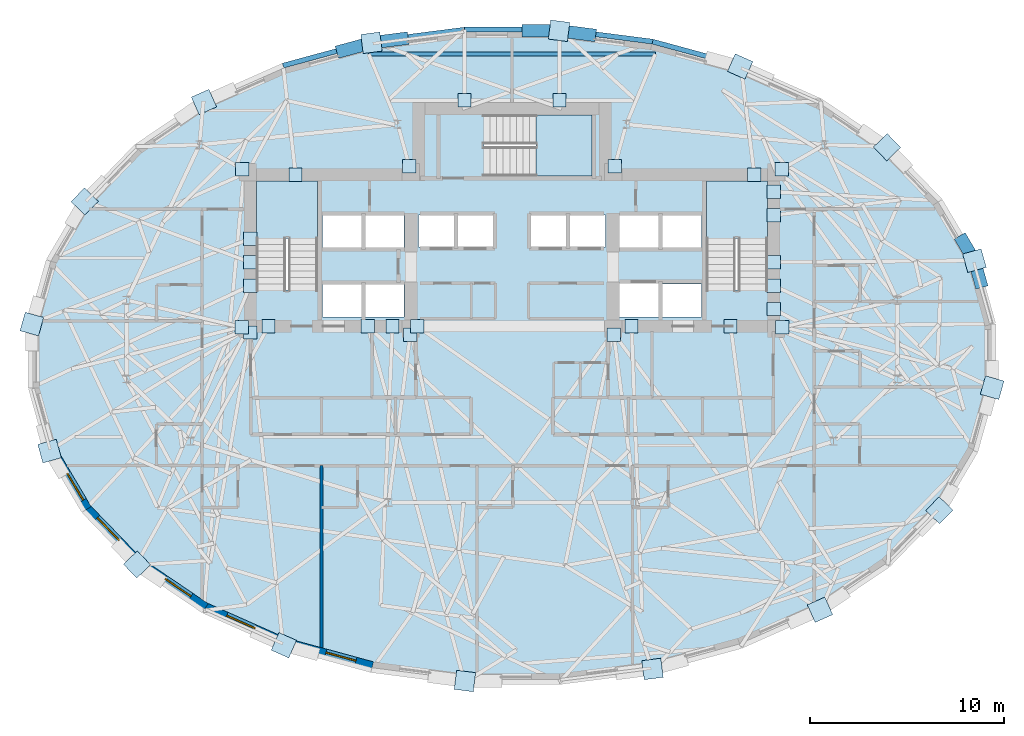
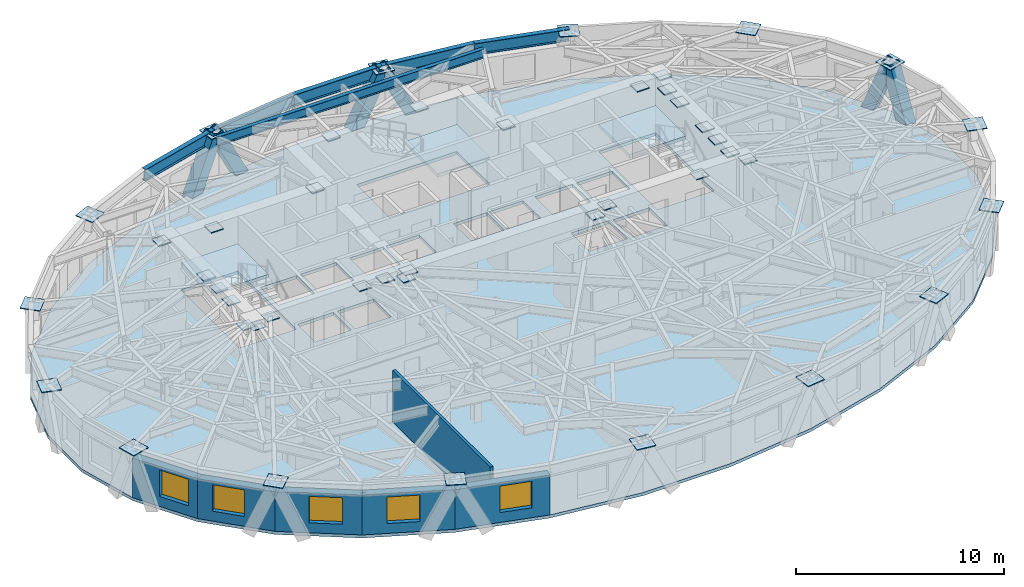
# One storey, part 5 of 15: 43 plates, 6 beams, 6 members, 6 walls, 5 windows, 4 slabs, 5 openings, 3 elements without a shape of their own.
"""IFC4 building model written with IfcOpenShell, lengths in metres."""

from ifc_helpers import new_model, si_unit, direction, frame, frame_2d, origin, origin_2d, place, context, subcontext, project, spatial, polyline, rectangle, hollow_rectangle, i_section, outline, extrude, material, layer, layer_set, material_profile, profile_set, type_object, element, fill, aggregate, save


model = new_model("IFC4")

# Units and contexts
model_context = context("Model", 3, precision=1e-05, world=origin(), true_north=direction((0.0, 1.0)))
body_context = subcontext(model_context, "Body", "Model", "MODEL_VIEW")
ifc_project = project(units=[si_unit("LENGTHUNIT", "METRE"), si_unit("AREAUNIT", "SQUARE_METRE"), si_unit("VOLUMEUNIT", "CUBIC_METRE"), si_unit("PLANEANGLEUNIT", "RADIAN"), si_unit("MASSUNIT", "GRAM", prefix="KILO")], contexts=[model_context])

# Site, building, storey
site_placement = place(None, origin())
site = spatial("IfcSite", under=ifc_project, at=site_placement, CompositionType="ELEMENT")
building_placement = place(site_placement, origin())
building = spatial("IfcBuilding", under=site, at=building_placement, Name="Keldmark Tower", CompositionType="ELEMENT")
storey_placement = place(building_placement, frame((0.0, 0.0, 163.0)))
storey = spatial("IfcBuildingStorey", under=building, at=storey_placement, Name="L44", CompositionType="ELEMENT", Elevation=163.0)

# Members
ifc_material_1 = material(Name="Steel ASTM A572 Grade 50", Category="steel")
ifc_material_profile_1 = material_profile(ifc_material_1, hollow_rectangle(XDim=0.64990234375, YDim=0.64990234375, WallThickness=0.0400390625, at=origin_2d()), Name="BOX650X650X40")
ifc_profile_set_1 = profile_set([ifc_material_profile_1], Name="Steel ASTM A572 Grade 50")
member_type = type_object("IfcMemberType", Name="Diagrid Zone 3 Brace BOX650X650X40", PredefinedType="BRACE", material=ifc_profile_set_1)
member_1_placement = place(storey_placement, frame((24.10009765625, 3.815673828125, -0.260009765625), z_axis=(-0.090321139282, 0.323220128566, 0.94200363072), x_axis=(-0.963103534488, -0.269131161067, 0.0)))
element("IfcMember", 1, at=member_1_placement, inside=storey, type_object=member_type, Name="L44 Perimeter Diagrid Brace 01A", PredefinedType="BRACE", context=body_context, shape_type="SweptSolid", body=[
    extrude(hollow_rectangle(XDim=0.64990234375, YDim=0.64990234375, WallThickness=0.0400390625, at=origin_2d()), origin(), (0.0, 0.0, 1.0), 3.3544921875),
])
member_2_placement = place(storey_placement, frame((23.19287109375, 5.91455078125, -0.260009765625), z_axis=(0.179634339939, -0.303896484951, 0.935616604357), x_axis=(0.860853140724, 0.508853485894, 0.0)))
element("IfcMember", 2, at=member_2_placement, inside=storey, type_object=member_type, Name="L44 Perimeter Diagrid Brace 01B", PredefinedType="BRACE", context=body_context, shape_type="SweptSolid", body=[
    extrude(hollow_rectangle(XDim=0.64990234375, YDim=0.64990234375, WallThickness=0.0400390625, at=origin_2d()), origin(), (0.0, 0.0, 1.0), 3.37744140625),
])
member_3_placement = place(storey_placement, frame((4.02099609375, 16.525390625, -0.260009765625), z_axis=(-0.450780651387, 0.057878859209, 0.890756331435), x_axis=(-0.127351493636, -0.991857649599, 0.0)))
element("IfcMember", 3, at=member_3_placement, inside=storey, type_object=member_type, Name="L44 Perimeter Diagrid Brace 04A", PredefinedType="BRACE", context=body_context, shape_type="SweptSolid", body=[
    extrude(hollow_rectangle(XDim=0.64990234375, YDim=0.64990234375, WallThickness=0.0400390625, at=origin_2d()), origin(), (0.0, 0.0, 1.0), 3.54736328125),
])
member_4_placement = place(storey_placement, frame((0.80712890625, 16.728515625, -0.260009765625), z_axis=(0.457597906554, 0.0, 0.889159241035), x_axis=(0.0, 1.0, 0.0)))
element("IfcMember", 4, at=member_4_placement, inside=storey, type_object=member_type, Name="L44 Perimeter Diagrid Brace 04B", PredefinedType="BRACE", context=body_context, shape_type="SweptSolid", body=[
    extrude(hollow_rectangle(XDim=0.64990234375, YDim=0.64990234375, WallThickness=0.0400390625, at=origin_2d()), origin(), (0.0, 0.0, 1.0), 3.5537109375),
])
member_5_placement = place(storey_placement, frame((-5.6318359375, 16.3173828125, -0.260009765625), z_axis=(-0.450780651387, -0.057878859209, 0.890756331435), x_axis=(0.127351493636, -0.991857649599, 0.0)))
element("IfcMember", 5, at=member_5_placement, inside=storey, type_object=member_type, Name="L44 Perimeter Diagrid Brace 05A", PredefinedType="BRACE", context=body_context, shape_type="SweptSolid", body=[
    extrude(hollow_rectangle(XDim=0.64990234375, YDim=0.64990234375, WallThickness=0.0400390625, at=origin_2d()), origin(), (0.0, 0.0, 1.0), 3.54736328125),
])
member_6_placement = place(storey_placement, frame((-8.7333984375, 15.703125, -0.260009765625), z_axis=(0.429124287044, 0.116606099608, 0.895687090341), x_axis=(-0.262221871512, 0.965007611421, 0.0)))
element("IfcMember", 6, at=member_6_placement, inside=storey, type_object=member_type, Name="L44 Perimeter Diagrid Brace 05B", PredefinedType="BRACE", context=body_context, shape_type="SweptSolid", body=[
    extrude(hollow_rectangle(XDim=0.64990234375, YDim=0.64990234375, WallThickness=0.0400390625, at=origin_2d()), origin(), (0.0, 0.0, 1.0), 3.52783203125),
])

# Beams
ifc_material_2 = material(Name="Steel ASTM A992 Grade 50", Category="steel")
ifc_material_profile_2 = material_profile(ifc_material_2, i_section(OverallWidth=0.2099609375, OverallDepth=0.537109375, WebThickness=0.010986328125, FlangeThickness=0.017333984375, at=origin_2d()), Name="W21X68")
ifc_profile_set_2 = profile_set([ifc_material_profile_2], Name="Steel ASTM A992 Grade 50")
beam_type_1 = type_object("IfcBeamType", Name="Radial Tie Girder W21X68", PredefinedType="BEAM", material=ifc_profile_set_2)
beam_1_placement = place(storey_placement, frame((-7.376953125, 15.538330078125, 2.75146484375), z_axis=(1.0, 0.0, 0.0), x_axis=(0.0, 1.0, 0.0)))
element("IfcBeam", 7, at=beam_1_placement, inside=storey, type_object=beam_type_1, Name="L44 North Outer Header Girder FG-TCN-H1", PredefinedType="BEAM", context=body_context, shape_type="SweptSolid", body=[
    extrude(i_section(OverallWidth=0.2099609375, OverallDepth=0.537109375, WebThickness=0.010986328125, FlangeThickness=0.017333984375, at=origin_2d()), origin(), (0.0, 0.0, 1.0), 14.75390625),
])
ifc_material_3 = material(Name="Steel ASTM A992 Grade 50", Category="steel")
ifc_material_profile_3 = material_profile(ifc_material_3, i_section(OverallWidth=0.256103515625, OverallDepth=0.693115234375, WebThickness=0.014404296875, FlangeThickness=0.023681640625, at=origin_2d()), Name="W27X114")
ifc_profile_set_3 = profile_set([ifc_material_profile_3], Name="Steel ASTM A992 Grade 50")
beam_type_2 = type_object("IfcBeamType", Name="Spandrel Ring Beam W27X114", PredefinedType="SPANDREL", material=ifc_profile_set_3)
beam_2_placement = place(storey_placement, frame((11.77880859375, 14.93798828125, 2.673583984375), z_axis=(-0.965024302167, 0.26216043986, 0.0), x_axis=(-0.26216043986, -0.965024302167, 0.0)))
element("IfcBeam", 8, at=beam_2_placement, inside=storey, type_object=beam_type_2, Name="L44 Perimeter Spandrel Ring Beam SRB-06", PredefinedType="SPANDREL", context=body_context, shape_type="SweptSolid", body=[
    extrude(i_section(OverallWidth=0.256103515625, OverallDepth=0.693115234375, WebThickness=0.014404296875, FlangeThickness=0.023681640625, at=origin_2d()), origin(), (0.0, 0.0, 1.0), 4.70654296875),
])
beam_3_placement = place(storey_placement, frame((7.23681640625, 16.171875, 2.673583984375), z_axis=(-0.991852091732, 0.127394772761, 0.0), x_axis=(-0.127394772761, -0.991852091732, 0.0)))
element("IfcBeam", 9, at=beam_3_placement, inside=storey, type_object=beam_type_2, Name="L44 Perimeter Spandrel Ring Beam SRB-07", PredefinedType="SPANDREL", context=body_context, shape_type="SweptSolid", body=[
    extrude(i_section(OverallWidth=0.256103515625, OverallDepth=0.693115234375, WebThickness=0.014404296875, FlangeThickness=0.023681640625, at=origin_2d()), origin(), (0.0, 0.0, 1.0), 4.8369140625),
])
beam_4_placement = place(storey_placement, frame((2.439208984375, 16.7880859375, 2.673583984375), z_axis=(-1.0, 0.0, 0.0), x_axis=(0.0, -1.0, 0.0)))
element("IfcBeam", 10, at=beam_4_placement, inside=storey, type_object=beam_type_2, Name="L44 Perimeter Spandrel Ring Beam SRB-08", PredefinedType="SPANDREL", context=body_context, shape_type="SweptSolid", body=[
    extrude(i_section(OverallWidth=0.256103515625, OverallDepth=0.693115234375, WebThickness=0.014404296875, FlangeThickness=0.023681640625, at=origin_2d()), origin(), (0.0, 0.0, 1.0), 4.87841796875),
])
beam_5_placement = place(storey_placement, frame((-2.439208984375, 16.7880859375, 2.673583984375), z_axis=(-0.991852091732, -0.127394772761, 0.0), x_axis=(0.127394772761, -0.991852091732, 0.0)))
element("IfcBeam", 11, at=beam_5_placement, inside=storey, type_object=beam_type_2, Name="L44 Perimeter Spandrel Ring Beam SRB-09", PredefinedType="SPANDREL", context=body_context, shape_type="SweptSolid", body=[
    extrude(i_section(OverallWidth=0.256103515625, OverallDepth=0.693115234375, WebThickness=0.014404296875, FlangeThickness=0.023681640625, at=origin_2d()), origin(), (0.0, 0.0, 1.0), 4.8369140625),
])
beam_6_placement = place(storey_placement, frame((-7.23681640625, 16.171875, 2.673583984375), z_axis=(-0.965024302167, -0.26216043986, 0.0), x_axis=(0.26216043986, -0.965024302167, 0.0)))
element("IfcBeam", 12, at=beam_6_placement, inside=storey, type_object=beam_type_2, Name="L44 Perimeter Spandrel Ring Beam SRB-10", PredefinedType="SPANDREL", context=body_context, shape_type="SweptSolid", body=[
    extrude(i_section(OverallWidth=0.256103515625, OverallDepth=0.693115234375, WebThickness=0.014404296875, FlangeThickness=0.023681640625, at=origin_2d()), origin(), (0.0, 0.0, 1.0), 4.70654296875),
])

# Plates
ifc_material_4 = material(Name="Steel ASTM A572 Grade 50", Category="steel")
ifc_layer_1 = layer(ifc_material_4, 0.06005859375)
ifc_layer_set_1 = layer_set([ifc_layer_1], Name="Steel ASTM A572 Grade 50")
plate_type_1 = type_object("IfcPlateType", Name="Belt Truss Kink Node Assembly KN01 60 mm", PredefinedType="USERDEFINED", material=ifc_layer_set_1)
for number, where, z_axis, x_axis, name in (
    (13, (13.91162109375, 1.473388671875, 2.72412109375), (0.0, 0.0, 1.0), (1.0, 0.0, 0.0), "L44 Core Wall Cast-In Embed Plate 1292"),
    (14, (13.878173828125, 9.608154296875, 2.72412109375), (0.0, 0.0, 1.0), (1.0, 0.0, 0.0), "L44 Core Wall Cast-In Embed Plate 1293"),
    (15, (5.28515625, 9.758544921875, 2.72412109375), (0.0, 0.0, 1.0), (1.0, 0.0, 0.0), "L44 Core Wall Cast-In Embed Plate 1294"),
    (16, (-5.28515625, 9.758544921875, 2.72412109375), (0.0, 0.0, 1.0), (1.0, 0.0, 0.0), "L44 Core Wall Cast-In Embed Plate 1295"),
    (17, (-13.878173828125, 9.608154296875, 2.72412109375), (0.0, 0.0, 1.0), (1.0, 0.0, 0.0), "L44 Core Wall Cast-In Embed Plate 1296"),
    (18, (-13.91162109375, 1.473388671875, 2.72412109375), (0.0, 0.0, 1.0), (1.0, 0.0, 0.0), "L44 Core Wall Cast-In Embed Plate 1297"),
    (19, (-5.24072265625, 1.08251953125, 2.72412109375), (0.0, 0.0, 1.0), (1.0, 0.0, 0.0), "L44 Core Wall Cast-In Embed Plate 1298"),
    (20, (5.24072265625, 1.08251953125, 2.72412109375), (0.0, 0.0, 1.0), (1.0, 0.0, 0.0), "L44 Core Wall Cast-In Embed Plate 1299"),
    (21, (13.47509765625, 7.235595703125, 2.72412109375), (0.0, 0.0, 1.0), (1.0, 0.0, 0.0), "L44 Core Wall Cast-In Embed Plate 1300"),
    (22, (-13.47509765625, 3.6142578125, 2.72412109375), (0.0, 0.0, 1.0), (1.0, 0.0, 0.0), "L44 Core Wall Cast-In Embed Plate 1301"),
    (23, (11.25, 1.52490234375, 2.72412109375), (0.0, 0.0, 1.0), (1.0, 0.0, 0.0), "L44 Core Wall Cast-In Embed Plate 1302"),
    (24, (13.47509765625, 4.8212890625, 2.72412109375), (0.0, 0.0, 1.0), (1.0, 0.0, 0.0), "L44 Core Wall Cast-In Embed Plate 1303"),
    (25, (13.47509765625, 8.44287109375, 2.72412109375), (0.0, 0.0, 1.0), (1.0, 0.0, 0.0), "L44 Core Wall Cast-In Embed Plate 1304"),
    (26, (12.468017578125, 9.324951171875, 2.72412109375), (0.0, 0.0, 1.0), (1.0, 0.0, 0.0), "L44 Core Wall Cast-In Embed Plate 1305"),
    (27, (-13.47509765625, 6.028564453125, 2.72412109375), (0.0, 0.0, 1.0), (1.0, 0.0, 0.0), "L44 Core Wall Cast-In Embed Plate 1306"),
    (28, (-13.47509765625, 1.199951171875, 2.72412109375), (0.0, 0.0, 1.0), (1.0, 0.0, 0.0), "L44 Core Wall Cast-In Embed Plate 1307"),
    (29, (-12.52490234375, 1.52490234375, 2.72412109375), (0.0, 0.0, 1.0), (1.0, 0.0, 0.0), "L44 Core Wall Cast-In Embed Plate 1308"),
    (30, (-6.14990234375, 1.52490234375, 2.72412109375), (0.0, 0.0, 1.0), (1.0, 0.0, 0.0), "L44 Core Wall Cast-In Embed Plate 1309"),
    (31, (-7.425048828125, 1.52490234375, 2.72412109375), (0.0, 0.0, 1.0), (1.0, 0.0, 0.0), "L44 Core Wall Cast-In Embed Plate 1310"),
    (32, (6.14990234375, 1.52490234375, 2.72412109375), (0.0, 0.0, 1.0), (1.0, 0.0, 0.0), "L44 Core Wall Cast-In Embed Plate 1311"),
    (33, (-4.875, 1.52490234375, 2.72412109375), (0.0, 0.0, 1.0), (1.0, 0.0, 0.0), "L44 Core Wall Cast-In Embed Plate 1312"),
    (34, (13.47509765625, 2.406982421875, 2.72412109375), (0.0, 0.0, 1.0), (1.0, 0.0, 0.0), "L44 Core Wall Cast-In Embed Plate 1313"),
    (35, (13.47509765625, 3.6142578125, 2.72412109375), (0.0, 0.0, 1.0), (1.0, 0.0, 0.0), "L44 Core Wall Cast-In Embed Plate 1314"),
    (36, (2.439208984375, 13.14990234375, 2.72412109375), (0.0, 0.0, 1.0), (1.0, 0.0, 0.0), "L44 Core Wall Cast-In Embed Plate 1315"),
    (37, (-2.439208984375, 13.14990234375, 2.72412109375), (0.0, 0.0, 1.0), (1.0, 0.0, 0.0), "L44 Core Wall Cast-In Embed Plate 1316"),
    (38, (-11.1357421875, 9.324951171875, 2.72412109375), (0.0, 0.0, 1.0), (1.0, 0.0, 0.0), "L44 Core Wall Cast-In Embed Plate 1317"),
    (39, (-13.47509765625, 4.8212890625, 2.72412109375), (0.0, 0.0, 1.0), (1.0, 0.0, 0.0), "L44 Core Wall Cast-In Embed Plate 1318"),
):
    element("IfcPlate", number, at=place(storey_placement, frame(where, z_axis=z_axis, x_axis=x_axis)), inside=storey, type_object=plate_type_1, Name=name, ObjectType="CAP PLATE", PredefinedType="USERDEFINED", context=body_context, shape_type="SweptSolid", body=[
        extrude(rectangle(XDim=0.679931640625, YDim=0.679931640625, at=origin_2d()), origin(), (0.0, 0.0, 1.0), 0.054931640625),
    ])
ifc_material_5 = material(Name="Steel ASTM A572 Grade 50", Category="steel")
ifc_layer_2 = layer(ifc_material_5, 0.044921875)
ifc_layer_set_2 = layer_set([ifc_layer_2], Name="Steel ASTM A572 Grade 50")
plate_type_2 = type_object("IfcPlateType", Name="Diagrid Node Assembly DN04 45 mm", PredefinedType="USERDEFINED", material=ifc_layer_set_2)
for number, where, z_axis, x_axis, name in (
    (40, (23.797119140625, 4.89990234375, 2.87744140625), (0.0, 0.0, 1.0), (-0.269256011385, 0.963068637394, 0.0), "L44 Diagrid Node Assembly 01"),
    (41, (19.297119140625, 10.736328125, 2.87744140625), (0.0, 0.0, 1.0), (-0.694909425092, 0.719097275004, 0.0), "L44 Diagrid Node Assembly 03"),
    (42, (11.74072265625, 14.8916015625, 2.87744140625), (0.0, 0.0, 1.0), (-0.913900054426, 0.405939269498, 0.0), "L44 Diagrid Node Assembly 05"),
    (43, (2.421875, 16.730712890625, 2.87744140625), (0.0, 0.0, 1.0), (-0.991850028246, 0.12741083733, 0.0), "L44 Diagrid Node Assembly 07"),
    (44, (-7.23095703125, 16.112060546875, 2.87744140625), (0.0, 0.0, 1.0), (-0.991850028246, -0.12741083733, 0.0), "L44 Diagrid Node Assembly 09"),
    (45, (-15.851806640625, 13.063720703125, 2.87744140625), (0.0, 0.0, 1.0), (-0.913900054426, -0.405939269498, 0.0), "L44 Diagrid Node Assembly 11"),
    (46, (-21.990478515625, 7.946533203125, 2.87744140625), (0.0, 0.0, 1.0), (-0.694909425092, -0.719097275004, 0.0), "L44 Diagrid Node Assembly 13"),
    (47, (-24.70849609375, 1.635986328125, 2.87744140625), (0.0, 0.0, 1.0), (-0.269256011385, -0.963068637394, 0.0), "L44 Diagrid Node Assembly 15"),
    (48, (-23.797119140625, -4.89990234375, 2.87744140625), (0.0, 0.0, 1.0), (0.269256011385, -0.963068637394, 0.0), "L44 Diagrid Node Assembly 17"),
    (49, (-19.297119140625, -10.736328125, 2.87744140625), (0.0, 0.0, 1.0), (0.694909425092, -0.719097275004, 0.0), "L44 Diagrid Node Assembly 19"),
    (50, (-11.74072265625, -14.8916015625, 2.87744140625), (0.0, 0.0, 1.0), (0.913900054426, -0.405939269498, 0.0), "L44 Diagrid Node Assembly 21"),
    (51, (-2.421875, -16.730712890625, 2.87744140625), (0.0, 0.0, 1.0), (0.991850028246, -0.12741083733, 0.0), "L44 Diagrid Node Assembly 23"),
    (52, (7.23095703125, -16.112060546875, 2.87744140625), (0.0, 0.0, 1.0), (0.991850028246, 0.12741083733, 0.0), "L44 Diagrid Node Assembly 25"),
    (53, (15.851806640625, -13.063720703125, 2.87744140625), (0.0, 0.0, 1.0), (0.913900054426, 0.405939269498, 0.0), "L44 Diagrid Node Assembly 27"),
    (54, (21.990478515625, -7.946533203125, 2.87744140625), (0.0, 0.0, 1.0), (0.694909425092, 0.719097275004, 0.0), "L44 Diagrid Node Assembly 29"),
    (55, (24.70849609375, -1.635986328125, 2.87744140625), (0.0, 0.0, 1.0), (0.269256011385, 0.963068637394, 0.0), "L44 Diagrid Node Assembly 31"),
):
    element("IfcPlate", number, at=place(storey_placement, frame(where, z_axis=z_axis, x_axis=x_axis)), inside=storey, type_object=plate_type_2, Name=name, ObjectType="GUSSET", PredefinedType="USERDEFINED", context=body_context, shape_type="SweptSolid", body=[
        extrude(rectangle(XDim=0.989990234375, YDim=0.989990234375, at=origin_2d()), origin(), (0.0, 0.0, 1.0), 0.044921875),
    ])

# Slab
ifc_material_6 = material(Name="Concrete C35/45", Category="concrete")
ifc_layer_3 = layer(ifc_material_6, 0.179931640625)
ifc_layer_set_3 = layer_set([ifc_layer_3], Name="Concrete C35/45")
slab_type_1 = type_object("IfcSlabType", Name="Hotel and Residential Slab 180 mm", PredefinedType="FLOOR", material=ifc_layer_set_3)
slab_1_placement = place(storey_placement, frame((0.0, 0.0, -0.179931640625)))
element("IfcSlab", 56, at=slab_1_placement, inside=storey, type_object=slab_type_1, Name="L44 Composite Structural Floor Slab", PredefinedType="FLOOR", context=body_context, shape_type="SweptSolid", body=[
    extrude(outline(polyline([(24.76611328125, 1.653564453125), (23.85693359375, 4.90576171875), (22.036865234375, 7.984619140625), (19.349853515625, 10.7646484375), (15.8798828125, 13.11669921875), (11.77880859375, 14.93798828125), (7.23681640625, 16.171875), (2.439208984375, 16.7880859375), (-2.439208984375, 16.7880859375), (-7.23681640625, 16.171875), (-11.77880859375, 14.93798828125), (-15.8798828125, 13.11669921875), (-19.349853515625, 10.7646484375), (-22.036865234375, 7.984619140625), (-23.85693359375, 4.90576171875), (-24.76611328125, 1.653564453125), (-24.76611328125, -1.653564453125), (-23.85693359375, -4.90576171875), (-22.036865234375, -7.984619140625), (-19.349853515625, -10.7646484375), (-15.8798828125, -13.11669921875), (-11.77880859375, -14.93798828125), (-7.23681640625, -16.171875), (-2.439208984375, -16.7880859375), (2.439208984375, -16.7880859375), (7.23681640625, -16.171875), (11.77880859375, -14.93798828125), (15.8798828125, -13.11669921875), (19.349853515625, -10.7646484375), (22.036865234375, -7.984619140625), (23.85693359375, -4.90576171875), (24.76611328125, -1.653564453125), (24.76611328125, 1.653564453125)]), holes=[polyline([(-10.0, 3.385009765625), (-10.0, 9.0), (-13.14990234375, 9.0), (-13.14990234375, 3.385009765625), (-10.0, 3.385009765625)]), polyline([(13.14990234375, 3.385009765625), (13.14990234375, 9.0), (10.0, 9.0), (10.0, 3.385009765625), (13.14990234375, 3.385009765625)]), polyline([(-1.43994140625, 9.25), (4.10498046875, 9.25), (4.10498046875, 12.39990234375), (-1.43994140625, 12.39990234375), (-1.43994140625, 9.25)]), polyline([(-9.75, 2.0), (-7.75, 2.0), (-7.75, 3.699951171875), (-9.75, 3.699951171875), (-9.75, 2.0)]), polyline([(7.75, 2.0), (9.75, 2.0), (9.75, 3.699951171875), (7.75, 3.699951171875), (7.75, 2.0)]), polyline([(5.449951171875, 2.0), (7.550048828125, 2.0), (7.550048828125, 3.75), (5.449951171875, 3.75), (5.449951171875, 2.0)]), polyline([(-4.800048828125, 5.60009765625), (-2.949951171875, 5.60009765625), (-2.949951171875, 7.25), (-4.800048828125, 7.25), (-4.800048828125, 5.60009765625)]), polyline([(-2.800048828125, 5.60009765625), (-0.949951171875, 5.60009765625), (-0.949951171875, 7.25), (-2.800048828125, 7.25), (-2.800048828125, 5.60009765625)]), polyline([(0.949951171875, 5.60009765625), (2.800048828125, 5.60009765625), (2.800048828125, 7.25), (0.949951171875, 7.25), (0.949951171875, 5.60009765625)]), polyline([(2.949951171875, 5.60009765625), (4.800048828125, 5.60009765625), (4.800048828125, 7.25), (2.949951171875, 7.25), (2.949951171875, 5.60009765625)]), polyline([(-9.75, 5.550048828125), (-7.75, 5.550048828125), (-7.75, 7.25), (-9.75, 7.25), (-9.75, 5.550048828125)]), polyline([(-7.550048828125, 5.550048828125), (-5.550048828125, 5.550048828125), (-5.550048828125, 7.25), (-7.550048828125, 7.25), (-7.550048828125, 5.550048828125)]), polyline([(-7.550048828125, 2.0), (-5.550048828125, 2.0), (-5.550048828125, 3.699951171875), (-7.550048828125, 3.699951171875), (-7.550048828125, 2.0)]), polyline([(5.449951171875, 5.550048828125), (7.550048828125, 5.550048828125), (7.550048828125, 7.25), (5.449951171875, 7.25), (5.449951171875, 5.550048828125)]), polyline([(7.75, 5.550048828125), (9.75, 5.550048828125), (9.75, 7.25), (7.75, 7.25), (7.75, 5.550048828125)])]), origin(), (0.0, 0.0, 1.0), 0.179931640625),
])

# Stair, slab
ifc_material_7 = material(Name="Concrete C40/50", Category="concrete")
stair_type = type_object("IfcStairType", Name="Precast Concrete Core Exit Stair", PredefinedType="HALF_TURN_STAIR", material=ifc_material_7)
stair_1_placement = place(storey_placement, origin())
stair_1 = element("IfcStair", 57, at=stair_1_placement, inside=storey, type_object=stair_type, Name="L44 Exit Stair ST1", PredefinedType="HALF_TURN_STAIR")
ifc_material_8 = material(Name="Concrete C40/50", Category="concrete")
ifc_layer_4 = layer(ifc_material_8, 0.199951171875)
ifc_layer_set_4 = layer_set([ifc_layer_4], Name="Concrete C40/50")
slab_type_2 = type_object("IfcSlabType", Name="Reinforced Concrete Stair Landing 200 mm", PredefinedType="LANDING", material=ifc_layer_set_4)
slab_2_placement = place(storey_placement, frame((0.0, 0.0, 1.39990234375)))
slab_2 = element("IfcSlab", 58, at=slab_2_placement, type_object=slab_type_2, Name="ST1 landing 1", PredefinedType="LANDING", context=body_context, shape_type="SweptSolid", body=[
    extrude(outline(polyline([(-10.0, 6.050048828125), (-10.0, 9.0), (-13.14990234375, 9.0), (-13.14990234375, 6.050048828125), (-10.0, 6.050048828125)])), origin(), (0.0, 0.0, 1.0), 0.2001953125),
])
aggregate(stair_1, [slab_2])

stair_2_placement = place(storey_placement, origin())
stair_2 = element("IfcStair", 59, at=stair_2_placement, inside=storey, type_object=stair_type, Name="L44 Exit Stair ST2", PredefinedType="HALF_TURN_STAIR")
slab_3_placement = place(storey_placement, frame((0.0, 0.0, 1.39990234375)))
slab_3 = element("IfcSlab", 60, at=slab_3_placement, type_object=slab_type_2, Name="ST2 landing 1", PredefinedType="LANDING", context=body_context, shape_type="SweptSolid", body=[
    extrude(outline(polyline([(13.14990234375, 6.050048828125), (13.14990234375, 9.0), (10.0, 9.0), (10.0, 6.050048828125), (13.14990234375, 6.050048828125)])), origin(), (0.0, 0.0, 1.0), 0.2001953125),
])
aggregate(stair_2, [slab_3])

stair_3_placement = place(storey_placement, origin())
stair_3 = element("IfcStair", 61, at=stair_3_placement, inside=storey, type_object=stair_type, Name="L44 Exit Stair ST3", PredefinedType="HALF_TURN_STAIR")
slab_4_placement = place(storey_placement, frame((0.0, 0.0, 1.39990234375)))
slab_4 = element("IfcSlab", 62, at=slab_4_placement, type_object=slab_type_2, Name="ST3 landing 1", PredefinedType="LANDING", context=body_context, shape_type="SweptSolid", body=[
    extrude(outline(polyline([(1.22509765625, 9.25), (4.10498046875, 9.25), (4.10498046875, 12.39990234375), (1.22509765625, 12.39990234375), (1.22509765625, 9.25)])), origin(), (0.0, 0.0, 1.0), 0.2001953125),
])
aggregate(stair_3, [slab_4])

# Wall, opening, window
ifc_material_9 = material(Name="Ironspot Manganese Brick and Kasota Buff Limestone Spandrel Assembly", Category="masonry")
ifc_layer_5 = layer(ifc_material_9, 0.43994140625)
ifc_layer_set_5 = layer_set([ifc_layer_5], Name="Ironspot Manganese Brick and Kasota Buff Limestone Spandrel Assembly")
wall_type_1 = type_object("IfcWallType", Name="Tower Brick Pier and Spandrel Wall 440 mm", PredefinedType="STANDARD", material=ifc_layer_set_5)
wall_1_placement = place(storey_placement, frame((-21.847412109375, -7.87255859375, 0.0), z_axis=(0.0, 0.0, 1.0), x_axis=(-0.508883387051, 0.860835465338, 0.0)))
wall_1 = element("IfcWall", 63, at=wall_1_placement, inside=storey, type_object=wall_type_1, Name="L44 Exterior Brick and Spandrel Wall 18", PredefinedType="STANDARD", context=body_context, shape_type="SweptSolid", body=[
    extrude(rectangle(XDim=3.57666015625, YDim=0.43994140625, at=frame_2d((1.788330078125, 0.0))), origin(), (0.0, 0.0, 1.0), 2.31494140625),
])
opening_1_placement = place(wall_1_placement, frame((0.49560546875, 0.0, 0.580078125)))
opening_1 = element("IfcOpeningElement", 64, at=opening_1_placement, cuts=wall_1, Name="Opening W-04", PredefinedType="OPENING", context=body_context, shape_type="SweptSolid", body=[
    extrude(rectangle(XDim=1.60009765625, YDim=1.550048828125, at=frame_2d((0.800048828125, 0.77490234375))), frame((0.0, 0.22998046875, 0.0), z_axis=(0.0, -1.0, 0.0), x_axis=(1.0, 0.0, 0.0)), (0.0, 0.0, 1.0), 0.4599609375),
])
ifc_material_10 = material(Name="Thermally Broken Anodized Aluminum and Triple Low-E Argon Glazing", Category="aluminium")
window_type = type_object("IfcWindowType", Name="Hotel Deep-Set Operable Window 1600x1550", PartitioningType="DOUBLE_PANEL_HORIZONTAL", PredefinedType="WINDOW", material=ifc_material_10)
window_1_placement = place(opening_1_placement, origin())
window_1 = element("IfcWindow", 65, at=window_1_placement, inside=storey, type_object=window_type, Name="L44 Deep-Set Window 18", OverallHeight=1.550048828125, OverallWidth=1.60009765625, PartitioningType="SINGLE_PANEL", PredefinedType="WINDOW", context=body_context, shape_type="SweptSolid", body=[
    extrude(rectangle(XDim=1.60009765625, YDim=1.550048828125, at=frame_2d((0.800048828125, 0.77490234375))), frame((0.0, -0.010009765625, 0.0), z_axis=(0.0, -1.0, 0.0), x_axis=(1.0, 0.0, 0.0)), (0.0, 0.0, 1.0), 0.06005859375),
])
fill(opening_1, window_1)

wall_2_placement = place(storey_placement, frame((-19.191650390625, -10.61181640625, 0.0), z_axis=(0.0, 0.0, 1.0), x_axis=(-0.694975307772, 0.719033602544, 0.0)))
wall_2 = element("IfcWall", 66, at=wall_2_placement, inside=storey, type_object=wall_type_1, Name="L44 Exterior Brick and Spandrel Wall 19", PredefinedType="STANDARD", context=body_context, shape_type="SweptSolid", body=[
    extrude(rectangle(XDim=3.866455078125, YDim=0.43994140625, at=frame_2d((1.93310546875, 0.0))), origin(), (0.0, 0.0, 1.0), 2.31494140625),
])
opening_2_placement = place(wall_2_placement, frame((1.52587890625, 0.0, 0.580078125)))
opening_2 = element("IfcOpeningElement", 67, at=opening_2_placement, cuts=wall_2, Name="Opening W-04", PredefinedType="OPENING", context=body_context, shape_type="SweptSolid", body=[
    extrude(rectangle(XDim=1.60009765625, YDim=1.550048828125, at=frame_2d((0.800048828125, 0.77490234375))), frame((0.0, 0.22998046875, 0.0), z_axis=(0.0, -1.0, 0.0), x_axis=(1.0, 0.0, 0.0)), (0.0, 0.0, 1.0), 0.4599609375),
])
window_2_placement = place(opening_2_placement, origin())
window_2 = element("IfcWindow", 68, at=window_2_placement, inside=storey, type_object=window_type, Name="L44 Deep-Set Window 19", OverallHeight=1.550048828125, OverallWidth=1.60009765625, PartitioningType="SINGLE_PANEL", PredefinedType="WINDOW", context=body_context, shape_type="SweptSolid", body=[
    extrude(rectangle(XDim=1.60009765625, YDim=1.550048828125, at=frame_2d((0.800048828125, 0.77490234375))), frame((0.0, -0.010009765625, 0.0), z_axis=(0.0, -1.0, 0.0), x_axis=(1.0, 0.0, 0.0)), (0.0, 0.0, 1.0), 0.06005859375),
])
fill(opening_2, window_2)

wall_3_placement = place(storey_placement, frame((-15.756591796875, -12.9345703125, 0.0), z_axis=(0.0, 0.0, 1.0), x_axis=(-0.827760762475, 0.561081206338, 0.0)))
wall_3 = element("IfcWall", 69, at=wall_3_placement, inside=storey, type_object=wall_type_1, Name="L44 Exterior Brick and Spandrel Wall 20", PredefinedType="STANDARD", context=body_context, shape_type="SweptSolid", body=[
    extrude(rectangle(XDim=4.19189453125, YDim=0.43994140625, at=frame_2d((2.095947265625, 0.0))), origin(), (0.0, 0.0, 1.0), 2.31494140625),
])
opening_3_placement = place(wall_3_placement, frame((0.947265625, 0.0, 0.580078125)))
opening_3 = element("IfcOpeningElement", 70, at=opening_3_placement, cuts=wall_3, Name="Opening W-04", PredefinedType="OPENING", context=body_context, shape_type="SweptSolid", body=[
    extrude(rectangle(XDim=1.60009765625, YDim=1.550048828125, at=frame_2d((0.800048828125, 0.77490234375))), frame((0.0, 0.22998046875, 0.0), z_axis=(0.0, -1.0, 0.0), x_axis=(1.0, 0.0, 0.0)), (0.0, 0.0, 1.0), 0.4599609375),
])
window_3_placement = place(opening_3_placement, origin())
window_3 = element("IfcWindow", 71, at=window_3_placement, inside=storey, type_object=window_type, Name="L44 Deep-Set Window 20", OverallHeight=1.550048828125, OverallWidth=1.60009765625, PartitioningType="SINGLE_PANEL", PredefinedType="WINDOW", context=body_context, shape_type="SweptSolid", body=[
    extrude(rectangle(XDim=1.60009765625, YDim=1.550048828125, at=frame_2d((0.800048828125, 0.77490234375))), frame((0.0, -0.010009765625, 0.0), z_axis=(0.0, -1.0, 0.0), x_axis=(1.0, 0.0, 0.0)), (0.0, 0.0, 1.0), 0.06005859375),
])
fill(opening_3, window_3)

wall_4_placement = place(storey_placement, frame((-11.689697265625, -14.737060546875, 0.0), z_axis=(0.0, 0.0, 1.0), x_axis=(-0.913907994914, 0.405921392431, 0.0)))
wall_4 = element("IfcWall", 72, at=wall_4_placement, inside=storey, type_object=wall_type_1, Name="L44 Exterior Brick and Spandrel Wall 21", PredefinedType="STANDARD", context=body_context, shape_type="SweptSolid", body=[
    extrude(rectangle(XDim=4.4873046875, YDim=0.43994140625, at=frame_2d((2.24365234375, 0.0))), origin(), (0.0, 0.0, 1.0), 2.31494140625),
])
opening_4_placement = place(wall_4_placement, frame((1.6923828125, 0.0, 0.580078125)))
opening_4 = element("IfcOpeningElement", 73, at=opening_4_placement, cuts=wall_4, Name="Opening W-04", PredefinedType="OPENING", context=body_context, shape_type="SweptSolid", body=[
    extrude(rectangle(XDim=1.60009765625, YDim=1.550048828125, at=frame_2d((0.800048828125, 0.77490234375))), frame((0.0, 0.22998046875, 0.0), z_axis=(0.0, -1.0, 0.0), x_axis=(1.0, 0.0, 0.0)), (0.0, 0.0, 1.0), 0.4599609375),
])
window_4_placement = place(opening_4_placement, origin())
window_4 = element("IfcWindow", 74, at=window_4_placement, inside=storey, type_object=window_type, Name="L44 Deep-Set Window 21", OverallHeight=1.550048828125, OverallWidth=1.60009765625, PartitioningType="SINGLE_PANEL", PredefinedType="WINDOW", context=body_context, shape_type="SweptSolid", body=[
    extrude(rectangle(XDim=1.60009765625, YDim=1.550048828125, at=frame_2d((0.800048828125, 0.77490234375))), frame((0.0, -0.010009765625, 0.0), z_axis=(0.0, -1.0, 0.0), x_axis=(1.0, 0.0, 0.0)), (0.0, 0.0, 1.0), 0.06005859375),
])
fill(opening_4, window_4)

wall_5_placement = place(storey_placement, frame((-7.17919921875, -15.95947265625, 0.0), z_axis=(0.0, 0.0, 1.0), x_axis=(-0.965037424263, 0.262112132058, 0.0)))
wall_5 = element("IfcWall", 75, at=wall_5_placement, inside=storey, type_object=wall_type_1, Name="L44 Exterior Brick and Spandrel Wall 22", PredefinedType="STANDARD", context=body_context, shape_type="SweptSolid", body=[
    extrude(rectangle(XDim=4.70654296875, YDim=0.43994140625, at=frame_2d((2.353271484375, 0.0))), origin(), (0.0, 0.0, 1.0), 2.31494140625),
])
opening_5_placement = place(wall_5_placement, frame((0.888916015625, 0.0, 0.580078125)))
opening_5 = element("IfcOpeningElement", 76, at=opening_5_placement, cuts=wall_5, Name="Opening W-04", PredefinedType="OPENING", context=body_context, shape_type="SweptSolid", body=[
    extrude(rectangle(XDim=1.60009765625, YDim=1.550048828125, at=frame_2d((0.800048828125, 0.77490234375))), frame((0.0, 0.22998046875, 0.0), z_axis=(0.0, -1.0, 0.0), x_axis=(1.0, 0.0, 0.0)), (0.0, 0.0, 1.0), 0.4599609375),
])
window_5_placement = place(opening_5_placement, origin())
window_5 = element("IfcWindow", 77, at=window_5_placement, inside=storey, type_object=window_type, Name="L44 Deep-Set Window 22", OverallHeight=1.550048828125, OverallWidth=1.60009765625, PartitioningType="SINGLE_PANEL", PredefinedType="WINDOW", context=body_context, shape_type="SweptSolid", body=[
    extrude(rectangle(XDim=1.60009765625, YDim=1.550048828125, at=frame_2d((0.800048828125, 0.77490234375))), frame((0.0, -0.010009765625, 0.0), z_axis=(0.0, -1.0, 0.0), x_axis=(1.0, 0.0, 0.0)), (0.0, 0.0, 1.0), 0.06005859375),
])
fill(opening_5, window_5)

# Wall
ifc_material_11 = material(Name="Moisture-Resistant Gypsum Plumbing Partition", Category="gypsum")
ifc_layer_6 = layer(ifc_material_11, 0.14990234375)
ifc_layer_set_6 = layer_set([ifc_layer_6], Name="Moisture-Resistant Gypsum Plumbing Partition")
wall_type_2 = type_object("IfcWallType", Name="Wet Wall 150 mm", PredefinedType="PLUMBINGWALL", material=ifc_layer_set_6)
wall_6_placement = place(storey_placement, frame((-9.800048828125, -15.011474609375, 0.0), z_axis=(0.0, 0.0, 1.0), x_axis=(0.0, 1.0, 0.0)))
element("IfcWall", 78, at=wall_6_placement, inside=storey, type_object=wall_type_2, Name="L44 Wet Wall 150 mm HS-DIV-1", PredefinedType="PLUMBINGWALL", context=body_context, shape_type="SweptSolid", body=[
    extrude(rectangle(XDim=9.361572265625, YDim=0.14990234375, at=frame_2d((4.6806640625, 0.0))), origin(), (0.0, 0.0, 1.0), 3.02001953125),
])

save(model, "model.ifc")
